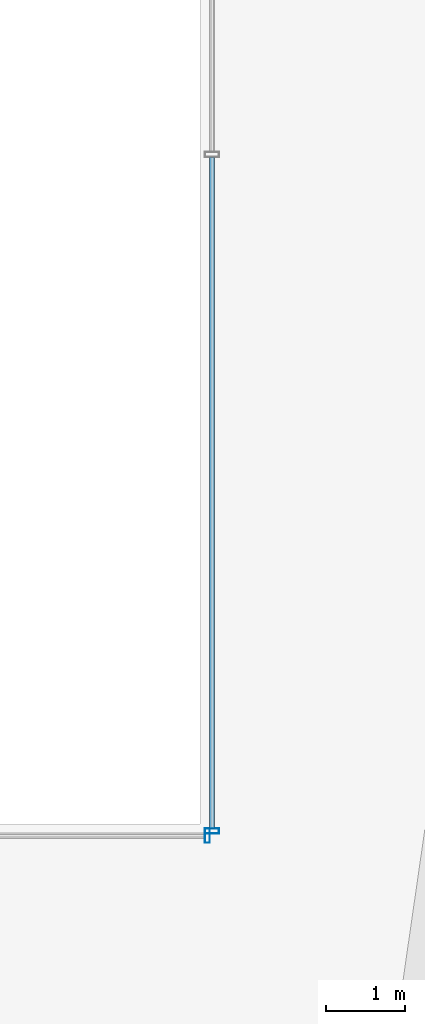
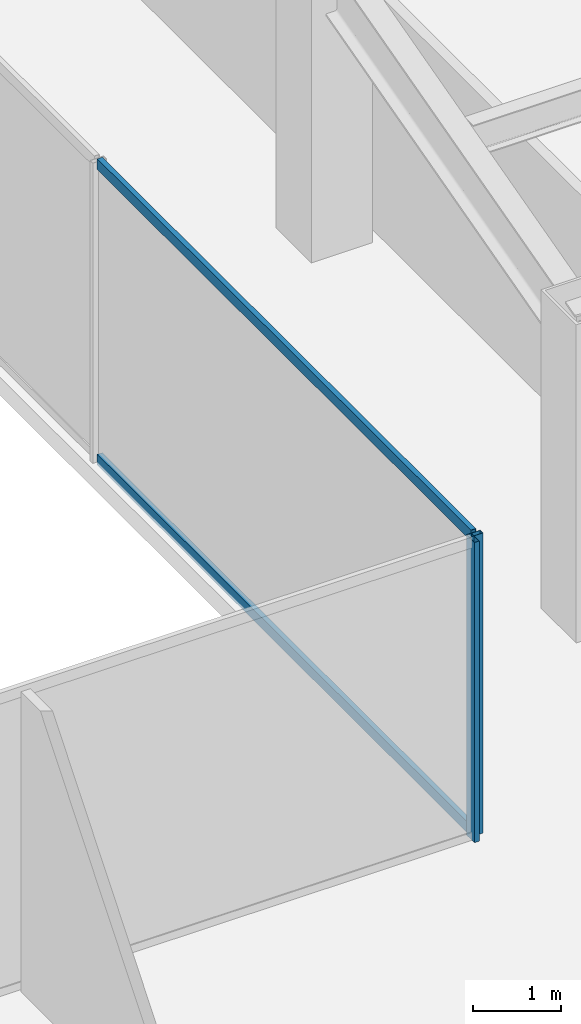
# One storey, part 18 of 47: 4 members, 2 elements without a shape of their own.
"""IFC4 building model written with IfcOpenShell, lengths in metres."""

from ifc_helpers import new_model, si_unit, direction, frame, origin, origin_2d, place, context, subcontext, project, spatial, hollow_rectangle, extrude, material, material_profile, profile_set, type_object, element, aggregate, save


model = new_model("IFC4")

# Units and contexts
model_context = context("Model", 3, precision=1e-05, world=origin(), true_north=direction((0.0, 1.0)))
body_context = subcontext(model_context, "Body", "Model", "MODEL_VIEW")
ifc_project = project(units=[si_unit("LENGTHUNIT", "METRE"), si_unit("AREAUNIT", "SQUARE_METRE"), si_unit("VOLUMEUNIT", "CUBIC_METRE"), si_unit("PLANEANGLEUNIT", "RADIAN"), si_unit("MASSUNIT", "GRAM", prefix="KILO")], contexts=[model_context])

# Site, building, storey
site_placement = place(None, origin())
site = spatial("IfcSite", under=ifc_project, at=site_placement, CompositionType="ELEMENT")
building_placement = place(site_placement, origin())
building = spatial("IfcBuilding", under=site, at=building_placement, Name="Saevonmaru Cultural Tower", CompositionType="ELEMENT")
storey_placement = place(building_placement, frame((0.0, 0.0, 64.800048828125)))
storey = spatial("IfcBuildingStorey", under=building, at=storey_placement, Name="L13", CompositionType="ELEMENT", Elevation=64.800048828125)

# Curtain wall, member
ifc_material = material(Name="Satin Bronze Anodised Aluminium", Category="aluminium")
curtain_wall_type = type_object("IfcCurtainWallType", Name="CW-ATR-GLZ", PredefinedType="NOTDEFINED", material=ifc_material)
curtain_wall_1_placement = place(storey_placement, origin())
curtain_wall_1 = element("IfcCurtainWall", 1, at=curtain_wall_1_placement, inside=storey, type_object=curtain_wall_type, Name="L13 Vertical Atrium Glazed Smoke Screen 1", PredefinedType="NOTDEFINED")
ifc_material_profile_1 = material_profile(ifc_material, hollow_rectangle(XDim=0.06494140625, YDim=0.179931640625, WallThickness=0.00390625, at=origin_2d()), Name="ALU-MULL-180x65x4")
ifc_profile_set_1 = profile_set([ifc_material_profile_1], Name="Satin Bronze Anodised Aluminium")
member_type_1 = type_object("IfcMemberType", Name="ML-CW-INT-180x65", PredefinedType="MULLION", material=ifc_profile_set_1)
member_1_placement = place(storey_placement, frame((35.889892578125, 20.85009765625, 0.0), z_axis=(0.0, 0.0, 1.0), x_axis=(1.0, 0.0, 0.0)))
member_1 = element("IfcMember", 2, at=member_1_placement, type_object=member_type_1, Name="CW-ATR-L13-1 mullion 2", PredefinedType="MULLION", context=body_context, shape_type="SweptSolid", body=[
    extrude(hollow_rectangle(XDim=0.06494140625, YDim=0.179931640625, WallThickness=0.00390625, at=origin_2d()), origin(), (0.0, 0.0, 1.0), 4.14990234375),
])
aggregate(curtain_wall_1, [member_1])

# Curtain wall, members
curtain_wall_2_placement = place(storey_placement, origin())
curtain_wall_2 = element("IfcCurtainWall", 3, at=curtain_wall_2_placement, inside=storey, type_object=curtain_wall_type, Name="L13 Vertical Atrium Glazed Smoke Screen 2", PredefinedType="NOTDEFINED")
member_2_placement = place(storey_placement, frame((35.949951171875, 20.909912109375, 0.0), z_axis=(0.0, 0.0, 1.0), x_axis=(0.0, 1.0, 0.0)))
member_2 = element("IfcMember", 4, at=member_2_placement, type_object=member_type_1, Name="CW-ATR-L13-2 mullion 1", PredefinedType="MULLION", context=body_context, shape_type="SweptSolid", body=[
    extrude(hollow_rectangle(XDim=0.06494140625, YDim=0.179931640625, WallThickness=0.00390625, at=origin_2d()), origin(), (0.0, 0.0, 1.0), 4.14990234375),
])
ifc_material_profile_2 = material_profile(ifc_material, hollow_rectangle(XDim=0.06494140625, YDim=0.14990234375, WallThickness=0.00390625, at=origin_2d()), Name="ALU-TRAN-150x65x4")
ifc_profile_set_2 = profile_set([ifc_material_profile_2], Name="Satin Bronze Anodised Aluminium")
member_type_2 = type_object("IfcMemberType", Name="TR-CW-INT-150x65", PredefinedType="USERDEFINED", material=ifc_profile_set_2)
member_3_placement = place(storey_placement, frame((35.949951171875, 20.9423828125, 0.032470703125), z_axis=(0.0, 1.0, 0.0), x_axis=(-1.0, 0.0, 0.0)))
member_3 = element("IfcMember", 5, at=member_3_placement, type_object=member_type_2, Name="CW-ATR-L13-2 transom 1.1", ObjectType="TRANSOM", PredefinedType="USERDEFINED", context=body_context, shape_type="SweptSolid", body=[
    extrude(hollow_rectangle(XDim=0.06494140625, YDim=0.14990234375, WallThickness=0.00390625, at=origin_2d()), origin(), (0.0, 0.0, 1.0), 8.465087890625),
])
member_4_placement = place(storey_placement, frame((35.949951171875, 20.9423828125, 4.117431640625), z_axis=(0.0, 1.0, 0.0), x_axis=(-1.0, 0.0, 0.0)))
member_4 = element("IfcMember", 6, at=member_4_placement, type_object=member_type_2, Name="CW-ATR-L13-2 transom 1.2", ObjectType="TRANSOM", PredefinedType="USERDEFINED", context=body_context, shape_type="SweptSolid", body=[
    extrude(hollow_rectangle(XDim=0.06494140625, YDim=0.14990234375, WallThickness=0.00390625, at=origin_2d()), origin(), (0.0, 0.0, 1.0), 8.465087890625),
])
aggregate(curtain_wall_2, [member_2, member_3, member_4])

save(model, "model.ifc")
